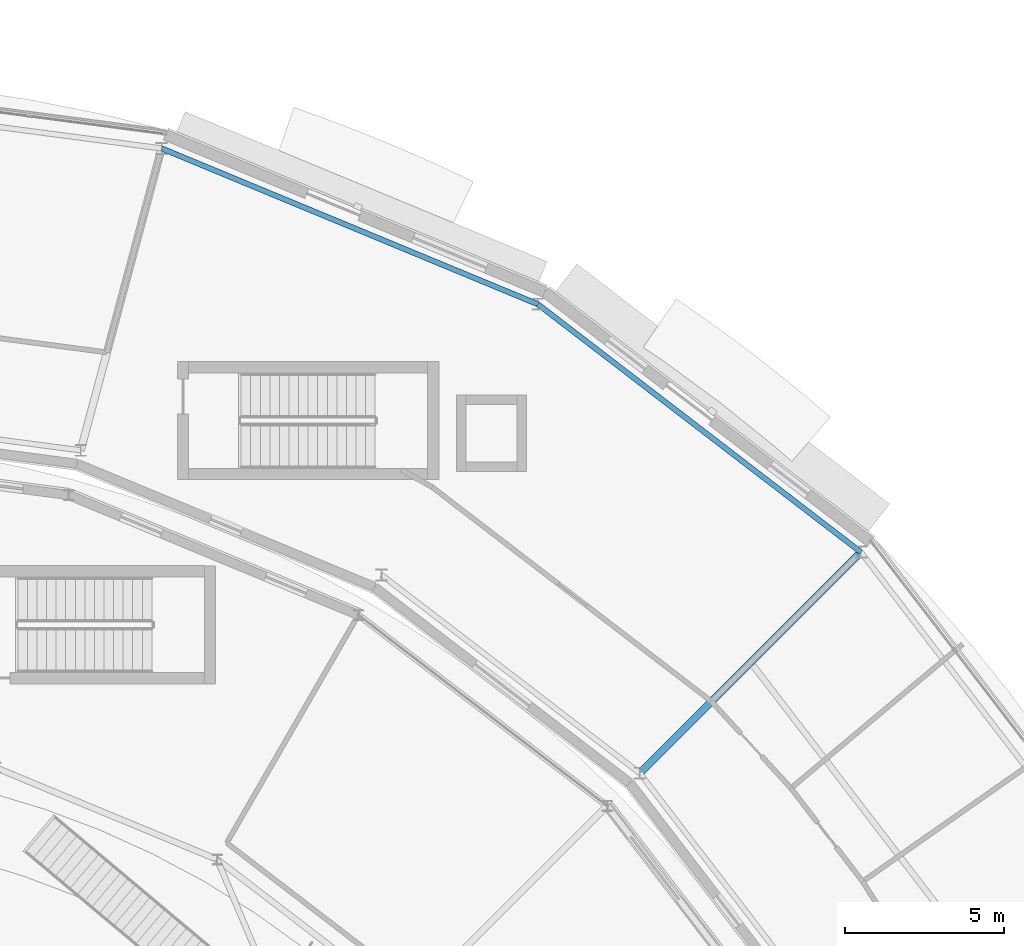
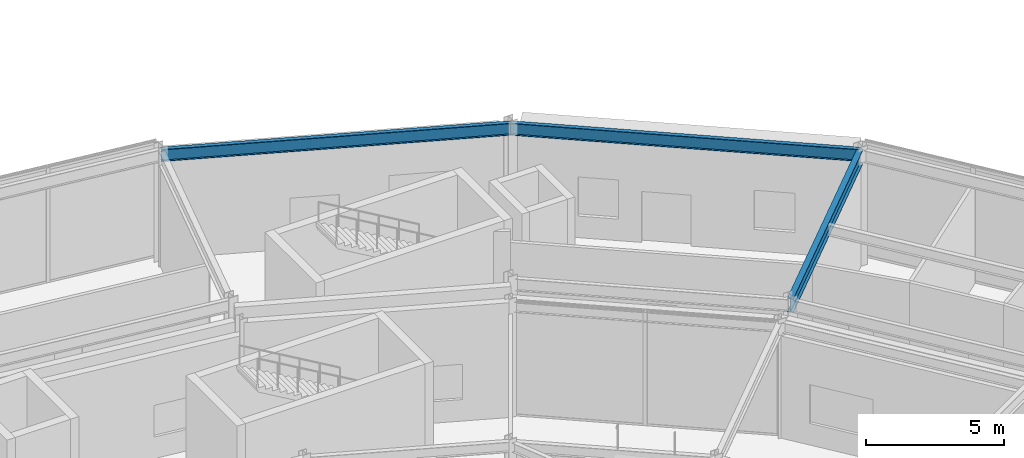
# One storey, part 90 of 168: 3 beams.
"""IFC4 building model written with IfcOpenShell, lengths in metres."""

import ifcopenshell
import ifcopenshell.guid

model = None  # the IFC model being written
_history = None  # IfcOwnerHistory: only IFC2X3 demands one
_inside = {}  # id of a spatial element -> (the spatial element, [elements in it])
_under = {}  # id of a project, library or spatial element -> (it, [spatial elements below it])
_declared = {}  # id of a project -> (the project, [libraries it declares])
_typed = {}  # id of a type object -> (the type object, [elements of that type])
_made_of = {}  # id of a material, layer set ... -> (it, [elements and type objects made of it])


def new_model(schema):
    """Start an empty IFC model of exactly this schema.

    Asked for "IFC4X3", IfcOpenShell would pick the latest addendum, in which some entities
    have other attributes; the version numbers below select the first issue.
    IFC2X3 requires an IfcOwnerHistory on every rooted entity: one is made here for all.
    """
    global model, _history
    if schema == "IFC4X3":
        model = ifcopenshell.file(schema_version=(4, 3, 0, 0))
    else:
        model = ifcopenshell.file(schema=schema)
    _inside.clear()
    _under.clear()
    _declared.clear()
    _typed.clear()
    _made_of.clear()
    _history = None
    if model.schema == "IFC2X3":
        org = make("IfcOrganization", Name="unknown")
        user = make(
            "IfcPersonAndOrganization",
            ThePerson=make("IfcPerson", FamilyName="unknown"),
            TheOrganization=org,
        )
        app = make(
            "IfcApplication",
            ApplicationDeveloper=org,
            Version="unknown",
            ApplicationFullName="unknown",
            ApplicationIdentifier="unknown",
        )
        _history = make(
            "IfcOwnerHistory",
            OwningUser=user,
            OwningApplication=app,
            ChangeAction="ADDED",
            CreationDate=0,
        )
    return model


def make(cls, **values):
    """One entity of the class cls with the attributes given. An attribute that is None is left unset."""
    return model.create_entity(
        cls, **{name: value for name, value in values.items() if value is not None}
    )


def rooted(cls, **values):
    """An entity with a GlobalId (a new one), such as an element, a storey or a relation."""
    return make(cls, GlobalId=ifcopenshell.guid.new(), OwnerHistory=_history, **values)


def si_unit(unit_type, name, prefix=None):
    """IfcSIUnit, for example si_unit("LENGTHUNIT", "METRE", prefix="MILLI")."""
    return make("IfcSIUnit", UnitType=unit_type, Prefix=prefix, Name=name)


def assignment(units):
    """IfcUnitAssignment: the units of a project."""
    return None if units is None else make("IfcUnitAssignment", Units=units)


def point(xyz):
    """IfcCartesianPoint."""
    return None if xyz is None else make("IfcCartesianPoint", Coordinates=xyz)


def direction(xyz):
    """IfcDirection."""
    return None if xyz is None else make("IfcDirection", DirectionRatios=xyz)


def frame(location, z_axis=None, x_axis=None):
    """IfcAxis2Placement3D, a coordinate frame: its origin and axes. An axis left out is left unset."""
    return make(
        "IfcAxis2Placement3D",
        Location=point(location),
        Axis=direction(z_axis),
        RefDirection=direction(x_axis),
    )


def frame_2d(location, x_axis=None):
    """IfcAxis2Placement2D, a coordinate frame in the plane: its origin and x axis."""
    return make(
        "IfcAxis2Placement2D", Location=point(location), RefDirection=direction(x_axis)
    )


def origin():
    """The frame at (0, 0, 0) with its axes left unset."""
    return frame((0.0, 0.0, 0.0))


def origin_2d():
    """The frame at (0, 0) in the plane with its x axis left unset."""
    return frame_2d((0.0, 0.0))


def place(relative_to, where):
    """IfcLocalPlacement: puts the frame where relative to a parent placement (None: the world)."""
    return make(
        "IfcLocalPlacement", PlacementRelTo=relative_to, RelativePlacement=where
    )


def context(
    kind, dimensions, precision=None, world=None, true_north=None, identifier=None
):
    """IfcGeometricRepresentationContext, for example the 3D "Model" context."""
    return make(
        "IfcGeometricRepresentationContext",
        ContextIdentifier=identifier,
        ContextType=kind,
        CoordinateSpaceDimension=dimensions,
        Precision=precision,
        WorldCoordinateSystem=world,
        TrueNorth=true_north,
    )


def subcontext(parent, identifier, kind, view, scale=None):
    """IfcGeometricRepresentationSubContext, for example "Body" below "Model"."""
    return make(
        "IfcGeometricRepresentationSubContext",
        ContextIdentifier=identifier,
        ContextType=kind,
        ParentContext=parent,
        TargetScale=scale,
        TargetView=view,
    )


def project(units=None, contexts=None):
    """IfcProject with its units and contexts."""
    return rooted(
        "IfcProject",
        Name="project",
        RepresentationContexts=contexts,
        UnitsInContext=assignment(units),
    )


def spatial(cls, under=None, at=None, **own):
    """A site, building, storey or space (cls), placed at a placement, below another one or the project."""
    s = rooted(cls, ObjectPlacement=at, **own)
    if under is not None:
        _under.setdefault(under.id(), (under, []))[1].append(s)
    return s


def profile(cls, at=None, kind="AREA", **sizes):
    """A parametric profile (cls). Its sizes go by their IFC names, for example OverallWidth=200.0."""
    return make(cls, ProfileType=kind, Position=at, **sizes)


def i_section(**sizes):
    """IfcIShapeProfileDef."""
    return profile("IfcIShapeProfileDef", **sizes)


def extrude(swept, where, along, depth):
    """IfcExtrudedAreaSolid: the profile swept, set in the frame where, extruded along a direction by depth."""
    return make(
        "IfcExtrudedAreaSolid",
        SweptArea=swept,
        Position=where,
        ExtrudedDirection=direction(along),
        Depth=depth,
    )


def shape(context_of_items, identifier, shape_type, items):
    """IfcShapeRepresentation: the items that make up one representation, for example the "Body"."""
    return make(
        "IfcShapeRepresentation",
        ContextOfItems=context_of_items,
        RepresentationIdentifier=identifier,
        RepresentationType=shape_type,
        Items=items,
    )


def material(Name=None, Category=None):
    """IfcMaterial."""
    return make("IfcMaterial", Name=Name, Category=Category)


def material_profile(
    of_material, cross_section, Name=None, Category=None, Priority=None
):
    """IfcMaterialProfile: a cross section and its material."""
    return make(
        "IfcMaterialProfile",
        Name=Name,
        Material=of_material,
        Profile=cross_section,
        Priority=Priority,
        Category=Category,
    )


def profile_set(profiles, Name=None, composite=None):
    """IfcMaterialProfileSet."""
    return make(
        "IfcMaterialProfileSet",
        Name=Name,
        MaterialProfiles=profiles,
        CompositeProfile=composite,
    )


def made_of(thing, what):
    """Note that an element or type object is made of a material, layer set ...; save() writes the relation."""
    if what is not None:
        _made_of.setdefault(what.id(), (what, []))[1].append(thing)
    return thing


def type_object(cls, material=None, **own):
    """A type object (cls), such as IfcWallType, which elements share."""
    return made_of(rooted(cls, **own), material)


def element(
    cls,
    number,
    at=None,
    inside=None,
    cuts=None,
    type_object=None,
    material=None,
    context=None,
    identifier="Body",
    shape_type=None,
    held_by="IfcProductDefinitionShape",
    body=None,
    shapes=None,
    **own,
):
    """One element of the class cls, such as IfcWall. Its Tag is "e" and its number.

    at: its placement. inside: the storey or other place that contains it. cuts: it is an
    opening in that element (IfcRelVoidsElement). A single representation is given by context,
    identifier, shape_type and body (its items); several are given by shapes. held_by: the class
    of the entity that holds the representations. save() writes the other relations.
    """
    e = rooted(cls, Tag="e%d" % number, ObjectPlacement=at, **own)
    if body is not None:
        shapes = [shape(context, identifier, shape_type, body)]
    if shapes is not None:
        e.Representation = make(held_by, Representations=shapes)
    if inside is not None:
        _inside.setdefault(inside.id(), (inside, []))[1].append(e)
    if cuts is not None:
        rooted(
            "IfcRelVoidsElement", RelatingBuildingElement=cuts, RelatedOpeningElement=e
        )
    if type_object is not None:
        _typed.setdefault(type_object.id(), (type_object, []))[1].append(e)
    return made_of(e, material)


def aggregate(whole, parts):
    """IfcRelAggregates: a whole, such as a stair, and the parts it consists of."""
    return rooted("IfcRelAggregates", RelatingObject=whole, RelatedObjects=parts)


def save(model, path):
    """Write the relations noted so far, then the file.

    IfcRelAggregates (storeys below a building ...), IfcRelContainedInSpatialStructure (elements
    in a storey), IfcRelDefinesByType, IfcRelAssociatesMaterial and IfcRelDeclares: one each for
    every whole, place, type object, material and project.
    """
    for whole, parts in _under.values():
        aggregate(whole, parts)
    for where, things in _inside.values():
        rooted(
            "IfcRelContainedInSpatialStructure",
            RelatedElements=things,
            RelatingStructure=where,
        )
    for kind, things in _typed.values():
        rooted("IfcRelDefinesByType", RelatedObjects=things, RelatingType=kind)
    for what, things in _made_of.values():
        rooted("IfcRelAssociatesMaterial", RelatedObjects=things, RelatingMaterial=what)
    for by, libraries in _declared.values():
        rooted("IfcRelDeclares", RelatingContext=by, RelatedDefinitions=libraries)
    model.write(path)


model = new_model("IFC4")

# Units and contexts
model_context = context("Model", 3, precision=1e-05, world=origin(), true_north=direction((0.0, 1.0)))
body_context = subcontext(model_context, "Body", "Model", "MODEL_VIEW")
ifc_project = project(units=[si_unit("LENGTHUNIT", "METRE"), si_unit("AREAUNIT", "SQUARE_METRE"), si_unit("VOLUMEUNIT", "CUBIC_METRE"), si_unit("PLANEANGLEUNIT", "RADIAN"), si_unit("MASSUNIT", "GRAM", prefix="KILO")], contexts=[model_context])

# Site, building, storey
site_placement = place(None, origin())
site = spatial("IfcSite", under=ifc_project, at=site_placement, CompositionType="ELEMENT")
building_placement = place(site_placement, origin())
building = spatial("IfcBuilding", under=site, at=building_placement, Name="Almandine Court Research Institute", CompositionType="ELEMENT")
storey_placement = place(building_placement, origin())
storey = spatial("IfcBuildingStorey", under=building, at=storey_placement, Name="L00", CompositionType="ELEMENT", Elevation=0.0)

# Beams
ifc_material = material(Name="Steel ASTM A992 Grade 50", Category="steel")
ifc_material_profile_1 = material_profile(ifc_material, i_section(OverallWidth=0.22998046875, OverallDepth=0.616943359375, WebThickness=0.012939453125, FlangeThickness=0.02197265625, at=origin_2d()), Name="W610x140")
ifc_profile_set_1 = profile_set([ifc_material_profile_1], Name="Steel ASTM A992 Grade 50")
beam_type_1 = type_object("IfcBeamType", Name="Beam-G-02", PredefinedType="BEAM", material=ifc_profile_set_1)
beam_1_placement = place(storey_placement, frame((114.64794921875, 83.64794921875, 4.760986328125), z_axis=(0.707106781187, 0.707106781187, 0.0), x_axis=(-0.707106781187, 0.707106781187, 0.0)))
element("IfcBeam", 1, at=beam_1_placement, inside=storey, type_object=beam_type_1, Name="L00 Drum Radial Girder 03", PredefinedType="BEAM", context=body_context, shape_type="SweptSolid", body=[
    extrude(i_section(OverallWidth=0.22998046875, OverallDepth=0.616943359375, WebThickness=0.012939453125, FlangeThickness=0.02197265625, at=origin_2d()), origin(), (0.0, 0.0, 1.0), 9.80029296875),
])
ifc_material_profile_2 = material_profile(ifc_material, i_section(OverallWidth=0.166015625, OverallDepth=0.534912109375, WebThickness=0.010009765625, FlangeThickness=0.01708984375, at=origin_2d()), Name="W530x85")
ifc_profile_set_2 = profile_set([ifc_material_profile_2], Name="Steel ASTM A992 Grade 50")
beam_type_2 = type_object("IfcBeamType", Name="Beam-G-05-E", PredefinedType="SPANDREL", material=ifc_profile_set_2)
beam_2_placement = place(storey_placement, frame((121.577880859375, 90.577880859375, 4.802978515625), z_axis=(-0.793360662587, 0.608751886289, 0.0), x_axis=(-0.608751886289, -0.793360662587, 0.0)))
element("IfcBeam", 2, at=beam_2_placement, inside=storey, type_object=beam_type_2, Name="L00 Drum OUT Ring Beam 03", PredefinedType="SPANDREL", context=body_context, shape_type="SweptSolid", body=[
    extrude(i_section(OverallWidth=0.166015625, OverallDepth=0.534912109375, WebThickness=0.010009765625, FlangeThickness=0.01708984375, at=origin_2d()), origin(), (0.0, 0.0, 1.0), 12.765869140625),
])
beam_3_placement = place(storey_placement, frame((111.449951171875, 98.34912109375, 4.802978515625), z_axis=(-0.923891897665, 0.382653578879, 0.0), x_axis=(-0.382653578879, -0.923891897665, 0.0)))
element("IfcBeam", 3, at=beam_3_placement, inside=storey, type_object=beam_type_2, Name="L00 Drum OUT Ring Beam 04", PredefinedType="SPANDREL", context=body_context, shape_type="SweptSolid", body=[
    extrude(i_section(OverallWidth=0.166015625, OverallDepth=0.534912109375, WebThickness=0.010009765625, FlangeThickness=0.01708984375, at=origin_2d()), origin(), (0.0, 0.0, 1.0), 12.765625),
])

save(model, "model.ifc")
